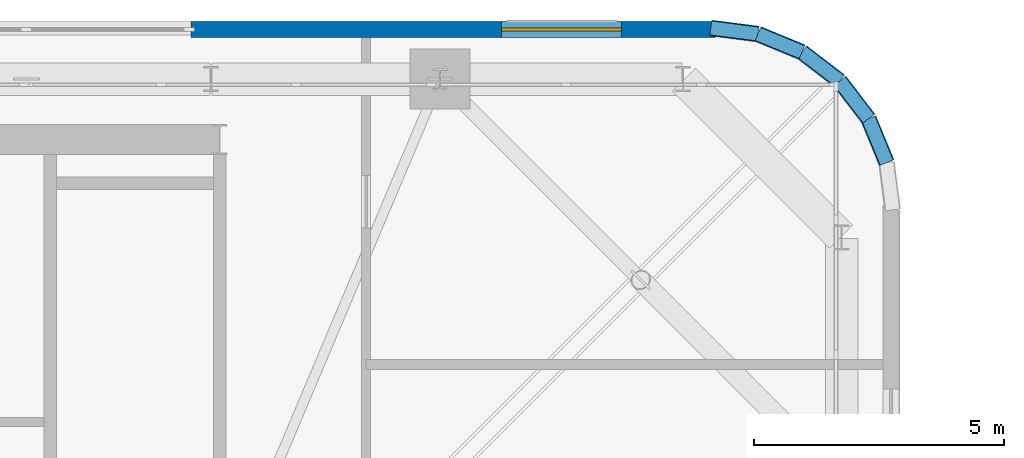
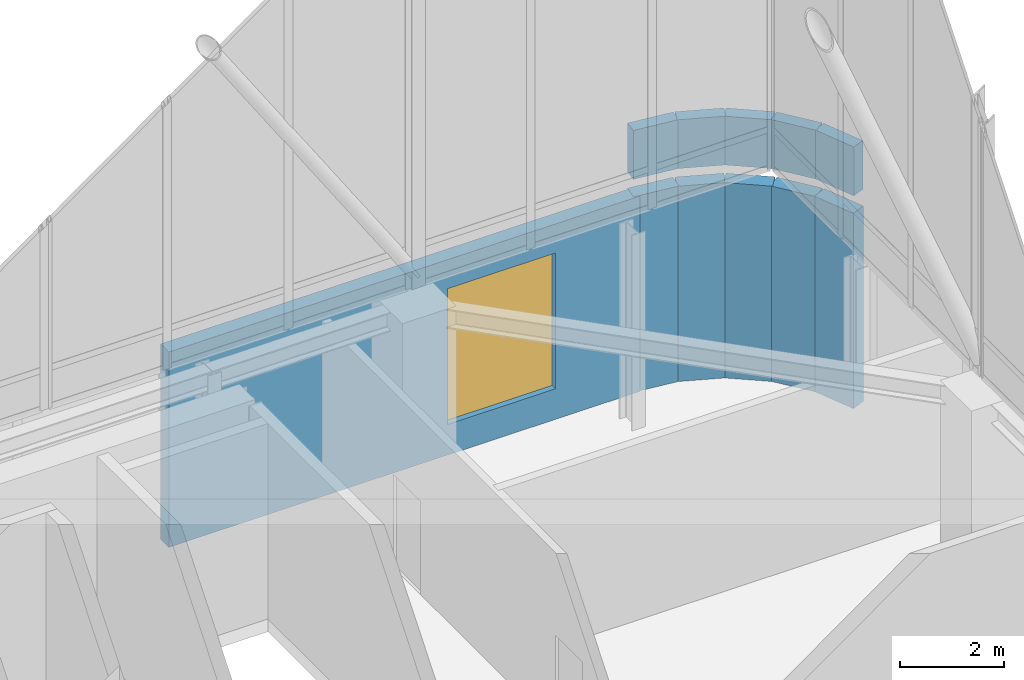
# One storey, part 14 of 15: 11 walls, 1 window, 1 opening.
"""IFC4 building model written with IfcOpenShell, lengths in metres."""

from ifc_helpers import new_model, si_unit, direction, frame, frame_2d, origin, place, context, subcontext, project, spatial, rectangle, extrude, source, transform, mapped, material, layer, layer_set, type_object, element, fill, save


model = new_model("IFC4")

# Units and contexts
model_context = context("Model", 3, precision=1e-05, world=origin(), true_north=direction((0.0, 1.0)))
body_context = subcontext(model_context, "Body", "Model", "MODEL_VIEW")
ifc_project = project(units=[si_unit("LENGTHUNIT", "METRE"), si_unit("AREAUNIT", "SQUARE_METRE"), si_unit("VOLUMEUNIT", "CUBIC_METRE"), si_unit("PLANEANGLEUNIT", "RADIAN"), si_unit("MASSUNIT", "GRAM", prefix="KILO")], contexts=[model_context])

# Site, building, storey
site_placement = place(None, origin())
site = spatial("IfcSite", under=ifc_project, at=site_placement, CompositionType="ELEMENT")
building_placement = place(site_placement, origin())
building = spatial("IfcBuilding", under=site, at=building_placement, Name="Vardaveli Station Tower", CompositionType="ELEMENT")
storey_placement = place(building_placement, frame((0.0, 0.0, 301.14990234375)))
storey = spatial("IfcBuildingStorey", under=building, at=storey_placement, Name="L76", CompositionType="ELEMENT", Elevation=301.14990234375)

# Wall, opening, window
ifc_material_1 = material(Name="Precast concrete C45/55", Category="concrete")
ifc_layer_1 = layer(ifc_material_1, 0.320068359375, Name="Precast concrete C45/55")
ifc_layer_set_1 = layer_set([ifc_layer_1], Name="Precast concrete C45/55")
wall_type_1 = type_object("IfcWallType", Name="WAL-EXT-STONE-320", PredefinedType="SOLIDWALL", material=ifc_layer_set_1)
shared_shape_1 = source(origin(), body_context, "Body", "SweptSolid", [
    extrude(rectangle(XDim=10.492919921875, YDim=0.320068359375, at=frame_2d((5.24658203125, 0.0))), origin(), (0.0, 0.0, 1.0), 4.60009765625),
])
wall_1_placement = place(storey_placement, frame((57.29296875, 42.5, 0.0), z_axis=(0.0, 0.0, 1.0), x_axis=(-1.0, 0.0, 0.0)))
wall_1 = element("IfcWall", 1, at=wall_1_placement, inside=storey, type_object=wall_type_1, Name="EW-L76-N1", PredefinedType="SOLIDWALL", context=body_context, shape_type="MappedRepresentation", body=[
    mapped(shared_shape_1, transform((0.0, 0.0, 0.0), scale=1.0)),
])
shared_shape_2 = source(origin(), body_context, "Body", "SweptSolid", [
    extrude(rectangle(XDim=2.39990234375, YDim=3.199951171875, at=frame_2d((1.199951171875, 1.60009765625))), frame((0.0, 0.169921875, 0.0), z_axis=(0.0, -1.0, 0.0), x_axis=(1.0, 0.0, 0.0)), (0.0, 0.0, 1.0), 0.340087890625),
])
opening_placement = place(wall_1_placement, frame((1.883544921875, 0.0, 0.719970703125)))
opening = element("IfcOpeningElement", 2, at=opening_placement, cuts=wall_1, Name="Opening W-06", PredefinedType="OPENING", context=body_context, shape_type="MappedRepresentation", body=[
    mapped(shared_shape_2, transform((0.0, 0.0, 0.0), scale=1.0)),
])
ifc_material_2 = material(Name="Low-iron tempered belvedere glass", Category="glass")
window_type = type_object("IfcWindowType", Name="WIN-OBS-2400x3200", PartitioningType="SINGLE_PANEL", PredefinedType="WINDOW", material=ifc_material_2)
shared_shape_3 = source(origin(), body_context, "Body", "SweptSolid", [
    extrude(rectangle(XDim=2.39990234375, YDim=3.199951171875, at=frame_2d((1.199951171875, 1.60009765625))), frame((0.0, 0.030029296875, 0.0), z_axis=(0.0, -1.0, 0.0), x_axis=(1.0, 0.0, 0.0)), (0.0, 0.0, 1.0), 0.06005859375),
])
window_placement = place(opening_placement, origin())
window = element("IfcWindow", 3, at=window_placement, inside=storey, type_object=window_type, Name="WN-L76-N1", OverallHeight=3.199951171875, OverallWidth=2.39990234375, PartitioningType="SINGLE_PANEL", PredefinedType="WINDOW", context=body_context, shape_type="MappedRepresentation", body=[
    mapped(shared_shape_3, transform((0.0, 0.0, 0.0), scale=1.0)),
])
fill(opening, window)

# Walls
shared_shape_4 = source(origin(), body_context, "Body", "SweptSolid", [
    extrude(rectangle(XDim=0.952392578125, YDim=0.320068359375, at=frame_2d((0.47607421875, 0.0))), origin(), (0.0, 0.0, 1.0), 4.60009765625),
])
wall_2_placement = place(storey_placement, frame((58.138427734375, 42.4130859375, 0.0), z_axis=(0.0, 0.0, 1.0), x_axis=(-0.991850128376, 0.127410057845, 0.0)))
element("IfcWall", 4, at=wall_2_placement, inside=storey, type_object=wall_type_1, Name="EW-L76-CR3-6", PredefinedType="SOLIDWALL", context=body_context, shape_type="MappedRepresentation", body=[
    mapped(shared_shape_4, transform((0.0, 0.0, 0.0), scale=1.0)),
])
shared_shape_5 = source(origin(), body_context, "Body", "SweptSolid", [
    extrude(rectangle(XDim=0.951171875, YDim=0.320068359375, at=frame_2d((0.4755859375, 0.0))), origin(), (0.0, 0.0, 1.0), 4.60009765625),
])
for number, where, z_axis, x_axis, name in (
    (5, (60.713134765625, 39.83837890625, 0.0), (0.0, 0.0, 1.0), (-0.380620714252, 0.924731243055, 0.0), "EW-L76-CR3-2"),
    (6, (59.01806640625, 42.051025390625, 0.0), (0.0, 0.0, 1.0), (-0.924731243055, 0.380620714252, 0.0), "EW-L76-CR3-5"),
):
    element("IfcWall", number, at=place(storey_placement, frame(where, z_axis=z_axis, x_axis=x_axis)), inside=storey, type_object=wall_type_1, Name=name, PredefinedType="SOLIDWALL", context=body_context, shape_type="MappedRepresentation", body=[
        mapped(shared_shape_5, transform((0.0, 0.0, 0.0), scale=1.0)),
    ])
shared_shape_6 = source(origin(), body_context, "Body", "SweptSolid", [
    extrude(rectangle(XDim=0.95068359375, YDim=0.320068359375, at=frame_2d((0.475341796875, 0.0))), origin(), (0.0, 0.0, 1.0), 4.60009765625),
])
wall_3_placement = place(storey_placement, frame((59.772705078125, 41.472900390625, 0.0), z_axis=(0.0, 0.0, 1.0), x_axis=(-0.793825387185, 0.608145751166, 0.0)))
element("IfcWall", 7, at=wall_3_placement, inside=storey, type_object=wall_type_1, Name="EW-L76-CR3-4", PredefinedType="SOLIDWALL", context=body_context, shape_type="MappedRepresentation", body=[
    mapped(shared_shape_6, transform((0.0, 0.0, 0.0), scale=1.0)),
])
shared_shape_7 = source(origin(), body_context, "Body", "SweptSolid", [
    extrude(rectangle(XDim=0.950927734375, YDim=0.320068359375, at=frame_2d((0.4755859375, 0.0))), origin(), (0.0, 0.0, 1.0), 4.60009765625),
])
wall_4_placement = place(storey_placement, frame((60.35107421875, 40.718017578125, 0.0), z_axis=(0.0, 0.0, 1.0), x_axis=(-0.608183591152, 0.793796396725, 0.0)))
element("IfcWall", 8, at=wall_4_placement, inside=storey, type_object=wall_type_1, Name="EW-L76-CR3-3", PredefinedType="SOLIDWALL", context=body_context, shape_type="MappedRepresentation", body=[
    mapped(shared_shape_7, transform((0.0, 0.0, 0.0), scale=1.0)),
])
ifc_layer_2 = layer(ifc_material_1, 0.280029296875, Name="Precast concrete C45/55")
ifc_layer_set_2 = layer_set([ifc_layer_2], Name="Precast concrete C45/55")
wall_type_2 = type_object("IfcWallType", Name="WAL-PARAPET-280", PredefinedType="SOLIDWALL", material=ifc_layer_set_2)
shared_shape_8 = source(origin(), body_context, "Body", "SweptSolid", [
    extrude(rectangle(XDim=0.952392578125, YDim=0.280029296875, at=frame_2d((0.47607421875, 0.0))), origin(), (0.0, 0.0, 1.0), 1.150146484375),
])
wall_5_placement = place(storey_placement, frame((58.138427734375, 42.4130859375, 5.0), z_axis=(0.0, 0.0, 1.0), x_axis=(-0.991850128376, 0.127410057845, 0.0)))
element("IfcWall", 9, at=wall_5_placement, inside=storey, type_object=wall_type_2, Name="PW-L76-COL-20", PredefinedType="SOLIDWALL", context=body_context, shape_type="MappedRepresentation", body=[
    mapped(shared_shape_8, transform((0.0, 0.0, 0.0), scale=1.0)),
])
shared_shape_9 = source(origin(), body_context, "Body", "SweptSolid", [
    extrude(rectangle(XDim=0.951171875, YDim=0.280029296875, at=frame_2d((0.4755859375, 0.0))), origin(), (0.0, 0.0, 1.0), 1.150146484375),
])
for number, where, z_axis, x_axis, name in (
    (10, (60.713134765625, 39.83837890625, 5.0), (0.0, 0.0, 1.0), (-0.380620714252, 0.924731243055, 0.0), "PW-L76-COL-16"),
    (11, (59.01806640625, 42.051025390625, 5.0), (0.0, 0.0, 1.0), (-0.924731243055, 0.380620714252, 0.0), "PW-L76-COL-19"),
):
    element("IfcWall", number, at=place(storey_placement, frame(where, z_axis=z_axis, x_axis=x_axis)), inside=storey, type_object=wall_type_2, Name=name, PredefinedType="SOLIDWALL", context=body_context, shape_type="MappedRepresentation", body=[
        mapped(shared_shape_9, transform((0.0, 0.0, 0.0), scale=1.0)),
    ])
shared_shape_10 = source(origin(), body_context, "Body", "SweptSolid", [
    extrude(rectangle(XDim=0.95068359375, YDim=0.280029296875, at=frame_2d((0.475341796875, 0.0))), origin(), (0.0, 0.0, 1.0), 1.150146484375),
])
wall_6_placement = place(storey_placement, frame((59.772705078125, 41.472900390625, 5.0), z_axis=(0.0, 0.0, 1.0), x_axis=(-0.793825387185, 0.608145751166, 0.0)))
element("IfcWall", 12, at=wall_6_placement, inside=storey, type_object=wall_type_2, Name="PW-L76-COL-18", PredefinedType="SOLIDWALL", context=body_context, shape_type="MappedRepresentation", body=[
    mapped(shared_shape_10, transform((0.0, 0.0, 0.0), scale=1.0)),
])
shared_shape_11 = source(origin(), body_context, "Body", "SweptSolid", [
    extrude(rectangle(XDim=0.950927734375, YDim=0.280029296875, at=frame_2d((0.4755859375, 0.0))), origin(), (0.0, 0.0, 1.0), 1.150146484375),
])
wall_7_placement = place(storey_placement, frame((60.35107421875, 40.718017578125, 5.0), z_axis=(0.0, 0.0, 1.0), x_axis=(-0.608183591152, 0.793796396725, 0.0)))
element("IfcWall", 13, at=wall_7_placement, inside=storey, type_object=wall_type_2, Name="PW-L76-COL-17", PredefinedType="SOLIDWALL", context=body_context, shape_type="MappedRepresentation", body=[
    mapped(shared_shape_11, transform((0.0, 0.0, 0.0), scale=1.0)),
])

save(model, "model.ifc")
